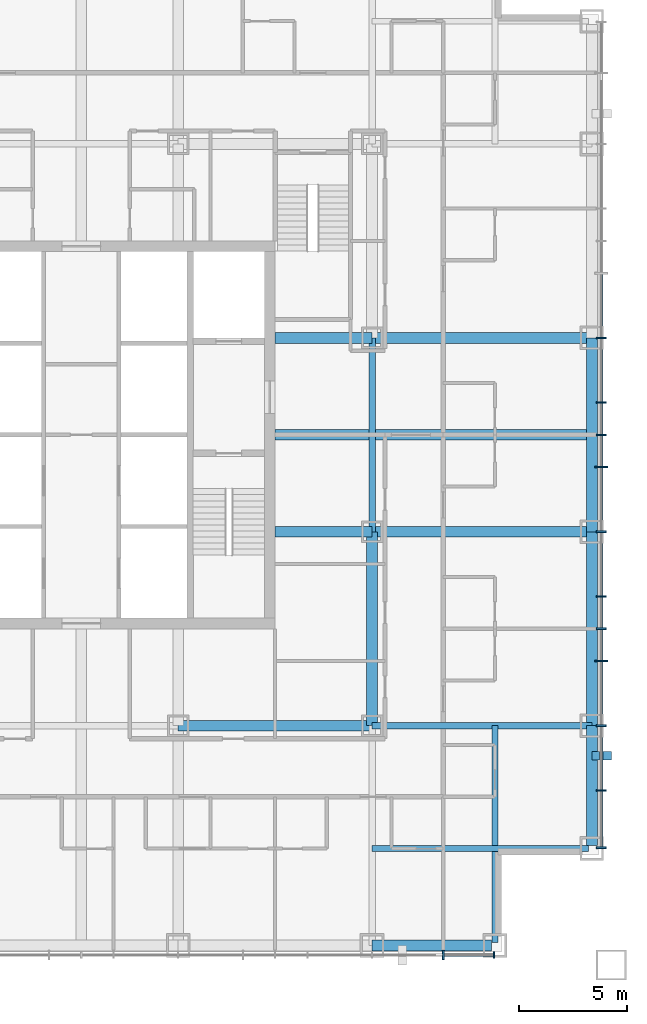
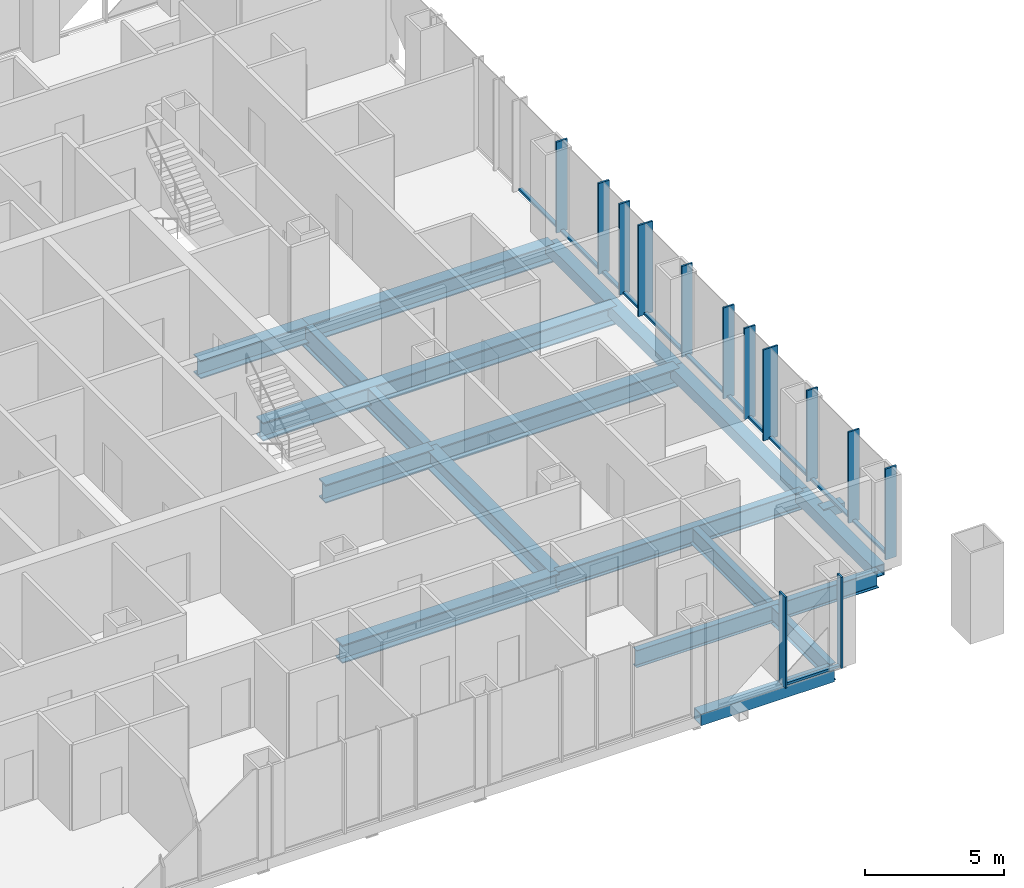
# One storey, part 4 of 18: 26 members, 15 beams, 2 elements without a shape of their own.
"""IFC4 building model written with IfcOpenShell, lengths in metres."""

import ifcopenshell
import ifcopenshell.guid

model = None  # the IFC model being written
_history = None  # IfcOwnerHistory: only IFC2X3 demands one
_inside = {}  # id of a spatial element -> (the spatial element, [elements in it])
_under = {}  # id of a project, library or spatial element -> (it, [spatial elements below it])
_declared = {}  # id of a project -> (the project, [libraries it declares])
_typed = {}  # id of a type object -> (the type object, [elements of that type])
_made_of = {}  # id of a material, layer set ... -> (it, [elements and type objects made of it])


def new_model(schema):
    """Start an empty IFC model of exactly this schema.

    Asked for "IFC4X3", IfcOpenShell would pick the latest addendum, in which some entities
    have other attributes; the version numbers below select the first issue.
    IFC2X3 requires an IfcOwnerHistory on every rooted entity: one is made here for all.
    """
    global model, _history
    if schema == "IFC4X3":
        model = ifcopenshell.file(schema_version=(4, 3, 0, 0))
    else:
        model = ifcopenshell.file(schema=schema)
    _inside.clear()
    _under.clear()
    _declared.clear()
    _typed.clear()
    _made_of.clear()
    _history = None
    if model.schema == "IFC2X3":
        org = make("IfcOrganization", Name="unknown")
        user = make(
            "IfcPersonAndOrganization",
            ThePerson=make("IfcPerson", FamilyName="unknown"),
            TheOrganization=org,
        )
        app = make(
            "IfcApplication",
            ApplicationDeveloper=org,
            Version="unknown",
            ApplicationFullName="unknown",
            ApplicationIdentifier="unknown",
        )
        _history = make(
            "IfcOwnerHistory",
            OwningUser=user,
            OwningApplication=app,
            ChangeAction="ADDED",
            CreationDate=0,
        )
    return model


def make(cls, **values):
    """One entity of the class cls with the attributes given. An attribute that is None is left unset."""
    return model.create_entity(
        cls, **{name: value for name, value in values.items() if value is not None}
    )


def rooted(cls, **values):
    """An entity with a GlobalId (a new one), such as an element, a storey or a relation."""
    return make(cls, GlobalId=ifcopenshell.guid.new(), OwnerHistory=_history, **values)


def si_unit(unit_type, name, prefix=None):
    """IfcSIUnit, for example si_unit("LENGTHUNIT", "METRE", prefix="MILLI")."""
    return make("IfcSIUnit", UnitType=unit_type, Prefix=prefix, Name=name)


def assignment(units):
    """IfcUnitAssignment: the units of a project."""
    return None if units is None else make("IfcUnitAssignment", Units=units)


def point(xyz):
    """IfcCartesianPoint."""
    return None if xyz is None else make("IfcCartesianPoint", Coordinates=xyz)


def direction(xyz):
    """IfcDirection."""
    return None if xyz is None else make("IfcDirection", DirectionRatios=xyz)


def frame(location, z_axis=None, x_axis=None):
    """IfcAxis2Placement3D, a coordinate frame: its origin and axes. An axis left out is left unset."""
    return make(
        "IfcAxis2Placement3D",
        Location=point(location),
        Axis=direction(z_axis),
        RefDirection=direction(x_axis),
    )


def frame_2d(location, x_axis=None):
    """IfcAxis2Placement2D, a coordinate frame in the plane: its origin and x axis."""
    return make(
        "IfcAxis2Placement2D", Location=point(location), RefDirection=direction(x_axis)
    )


def origin():
    """The frame at (0, 0, 0) with its axes left unset."""
    return frame((0.0, 0.0, 0.0))


def origin_2d():
    """The frame at (0, 0) in the plane with its x axis left unset."""
    return frame_2d((0.0, 0.0))


def place(relative_to, where):
    """IfcLocalPlacement: puts the frame where relative to a parent placement (None: the world)."""
    return make(
        "IfcLocalPlacement", PlacementRelTo=relative_to, RelativePlacement=where
    )


def context(
    kind, dimensions, precision=None, world=None, true_north=None, identifier=None
):
    """IfcGeometricRepresentationContext, for example the 3D "Model" context."""
    return make(
        "IfcGeometricRepresentationContext",
        ContextIdentifier=identifier,
        ContextType=kind,
        CoordinateSpaceDimension=dimensions,
        Precision=precision,
        WorldCoordinateSystem=world,
        TrueNorth=true_north,
    )


def subcontext(parent, identifier, kind, view, scale=None):
    """IfcGeometricRepresentationSubContext, for example "Body" below "Model"."""
    return make(
        "IfcGeometricRepresentationSubContext",
        ContextIdentifier=identifier,
        ContextType=kind,
        ParentContext=parent,
        TargetScale=scale,
        TargetView=view,
    )


def project(units=None, contexts=None):
    """IfcProject with its units and contexts."""
    return rooted(
        "IfcProject",
        Name="project",
        RepresentationContexts=contexts,
        UnitsInContext=assignment(units),
    )


def spatial(cls, under=None, at=None, **own):
    """A site, building, storey or space (cls), placed at a placement, below another one or the project."""
    s = rooted(cls, ObjectPlacement=at, **own)
    if under is not None:
        _under.setdefault(under.id(), (under, []))[1].append(s)
    return s


def profile(cls, at=None, kind="AREA", **sizes):
    """A parametric profile (cls). Its sizes go by their IFC names, for example OverallWidth=200.0."""
    return make(cls, ProfileType=kind, Position=at, **sizes)


def rectangle(**sizes):
    """IfcRectangleProfileDef."""
    return profile("IfcRectangleProfileDef", **sizes)


def hollow_rectangle(**sizes):
    """IfcRectangleHollowProfileDef."""
    return profile("IfcRectangleHollowProfileDef", **sizes)


def i_section(**sizes):
    """IfcIShapeProfileDef."""
    return profile("IfcIShapeProfileDef", **sizes)


def extrude(swept, where, along, depth):
    """IfcExtrudedAreaSolid: the profile swept, set in the frame where, extruded along a direction by depth."""
    return make(
        "IfcExtrudedAreaSolid",
        SweptArea=swept,
        Position=where,
        ExtrudedDirection=direction(along),
        Depth=depth,
    )


def shape(context_of_items, identifier, shape_type, items):
    """IfcShapeRepresentation: the items that make up one representation, for example the "Body"."""
    return make(
        "IfcShapeRepresentation",
        ContextOfItems=context_of_items,
        RepresentationIdentifier=identifier,
        RepresentationType=shape_type,
        Items=items,
    )


def material(Name=None, Category=None):
    """IfcMaterial."""
    return make("IfcMaterial", Name=Name, Category=Category)


def layer(
    of_material, thickness, ventilated=None, Name=None, Category=None, Priority=None
):
    """IfcMaterialLayer: one layer of a wall or slab, of a material (None: an air gap)."""
    return make(
        "IfcMaterialLayer",
        Material=of_material,
        LayerThickness=thickness,
        IsVentilated=ventilated,
        Name=Name,
        Category=Category,
        Priority=Priority,
    )


def layer_set(layers, Name=None):
    """IfcMaterialLayerSet."""
    return make("IfcMaterialLayerSet", MaterialLayers=layers, LayerSetName=Name)


def material_profile(
    of_material, cross_section, Name=None, Category=None, Priority=None
):
    """IfcMaterialProfile: a cross section and its material."""
    return make(
        "IfcMaterialProfile",
        Name=Name,
        Material=of_material,
        Profile=cross_section,
        Priority=Priority,
        Category=Category,
    )


def profile_set(profiles, Name=None, composite=None):
    """IfcMaterialProfileSet."""
    return make(
        "IfcMaterialProfileSet",
        Name=Name,
        MaterialProfiles=profiles,
        CompositeProfile=composite,
    )


def made_of(thing, what):
    """Note that an element or type object is made of a material, layer set ...; save() writes the relation."""
    if what is not None:
        _made_of.setdefault(what.id(), (what, []))[1].append(thing)
    return thing


def type_object(cls, material=None, **own):
    """A type object (cls), such as IfcWallType, which elements share."""
    return made_of(rooted(cls, **own), material)


def element(
    cls,
    number,
    at=None,
    inside=None,
    cuts=None,
    type_object=None,
    material=None,
    context=None,
    identifier="Body",
    shape_type=None,
    held_by="IfcProductDefinitionShape",
    body=None,
    shapes=None,
    **own,
):
    """One element of the class cls, such as IfcWall. Its Tag is "e" and its number.

    at: its placement. inside: the storey or other place that contains it. cuts: it is an
    opening in that element (IfcRelVoidsElement). A single representation is given by context,
    identifier, shape_type and body (its items); several are given by shapes. held_by: the class
    of the entity that holds the representations. save() writes the other relations.
    """
    e = rooted(cls, Tag="e%d" % number, ObjectPlacement=at, **own)
    if body is not None:
        shapes = [shape(context, identifier, shape_type, body)]
    if shapes is not None:
        e.Representation = make(held_by, Representations=shapes)
    if inside is not None:
        _inside.setdefault(inside.id(), (inside, []))[1].append(e)
    if cuts is not None:
        rooted(
            "IfcRelVoidsElement", RelatingBuildingElement=cuts, RelatedOpeningElement=e
        )
    if type_object is not None:
        _typed.setdefault(type_object.id(), (type_object, []))[1].append(e)
    return made_of(e, material)


def aggregate(whole, parts):
    """IfcRelAggregates: a whole, such as a stair, and the parts it consists of."""
    return rooted("IfcRelAggregates", RelatingObject=whole, RelatedObjects=parts)


def save(model, path):
    """Write the relations noted so far, then the file.

    IfcRelAggregates (storeys below a building ...), IfcRelContainedInSpatialStructure (elements
    in a storey), IfcRelDefinesByType, IfcRelAssociatesMaterial and IfcRelDeclares: one each for
    every whole, place, type object, material and project.
    """
    for whole, parts in _under.values():
        aggregate(whole, parts)
    for where, things in _inside.values():
        rooted(
            "IfcRelContainedInSpatialStructure",
            RelatedElements=things,
            RelatingStructure=where,
        )
    for kind, things in _typed.values():
        rooted("IfcRelDefinesByType", RelatedObjects=things, RelatingType=kind)
    for what, things in _made_of.values():
        rooted("IfcRelAssociatesMaterial", RelatedObjects=things, RelatingMaterial=what)
    for by, libraries in _declared.values():
        rooted("IfcRelDeclares", RelatingContext=by, RelatedDefinitions=libraries)
    model.write(path)


model = new_model("IFC4")

# Units and contexts
model_context = context("Model", 3, precision=1e-05, world=origin(), true_north=direction((0.0, 1.0)))
body_context = subcontext(model_context, "Body", "Model", "MODEL_VIEW")
ifc_project = project(units=[si_unit("LENGTHUNIT", "METRE"), si_unit("AREAUNIT", "SQUARE_METRE"), si_unit("VOLUMEUNIT", "CUBIC_METRE"), si_unit("PLANEANGLEUNIT", "RADIAN"), si_unit("MASSUNIT", "GRAM", prefix="KILO")], contexts=[model_context])

# Site, building, storey
site_placement = place(None, origin())
site = spatial("IfcSite", under=ifc_project, at=site_placement, CompositionType="ELEMENT")
building_placement = place(site_placement, origin())
building = spatial("IfcBuilding", under=site, at=building_placement, Name="Malebo Sky Hospital", CompositionType="ELEMENT")
storey_placement = place(building_placement, frame((0.0, 0.0, 132.0)))
storey = spatial("IfcBuildingStorey", under=building, at=storey_placement, Name="L31", CompositionType="ELEMENT", Elevation=132.0)

# Curtain wall, member
ifc_material_1 = material(Name="Anodised aluminium, natural silver", Category="aluminium")
ifc_layer_1 = layer(ifc_material_1, 0.25)
ifc_layer_set_1 = layer_set([ifc_layer_1], Name="WARD CURTAIN WALL NORTH AND SOUTH")
curtain_wall_type_1 = type_object("IfcCurtainWallType", Name="WARD CURTAIN WALL NORTH AND SOUTH", PredefinedType="NOTDEFINED", material=ifc_layer_set_1)
curtain_wall_1_placement = place(storey_placement, origin())
curtain_wall_1 = element("IfcCurtainWall", 1, at=curtain_wall_1_placement, inside=storey, type_object=curtain_wall_type_1, Name="NS curtain wall S", PredefinedType="NOTDEFINED")
ifc_material_profile_1 = material_profile(ifc_material_1, rectangle(XDim=0.14990234375, YDim=0.10009765625, at=origin_2d()), Name="ALUMINIUM TRANSOM 150x100")
ifc_profile_set_1 = profile_set([ifc_material_profile_1], Name="Anodised aluminium, natural silver")
member_type_1 = type_object("IfcMemberType", Name="ALUMINIUM TRANSOM 150x100", PredefinedType="USERDEFINED", material=ifc_profile_set_1)
member_1_placement = place(storey_placement, frame((79.125, 37.864990234375, 0.050048828125), z_axis=(-1.0, 0.0, 0.0), x_axis=(0.0, -1.0, 0.0)))
member_1 = element("IfcMember", 2, at=member_1_placement, type_object=member_type_1, Name="Transom 1", ObjectType="TRANSOM", PredefinedType="USERDEFINED", context=body_context, shape_type="SweptSolid", body=[
    extrude(rectangle(XDim=0.14990234375, YDim=0.10009765625, at=origin_2d()), origin(), (0.0, 0.0, 1.0), 2.28759765625),
])

# Curtain wall, members
ifc_layer_2 = layer(ifc_material_1, 0.25)
ifc_layer_set_2 = layer_set([ifc_layer_2], Name="WARD CURTAIN WALL EAST AND WEST")
curtain_wall_type_2 = type_object("IfcCurtainWallType", Name="WARD CURTAIN WALL EAST AND WEST", PredefinedType="NOTDEFINED", material=ifc_layer_set_2)
curtain_wall_2_placement = place(storey_placement, origin())
curtain_wall_2 = element("IfcCurtainWall", 3, at=curtain_wall_2_placement, inside=storey, type_object=curtain_wall_type_2, Name="EW curtain wall E", PredefinedType="NOTDEFINED")
member_2_placement = place(storey_placement, frame((84.135009765625, 69.46240234375, 0.050048828125), z_axis=(0.0, -1.0, 0.0), x_axis=(1.0, 0.0, 0.0)))
member_2 = element("IfcMember", 4, at=member_2_placement, type_object=member_type_1, Name="Transom 6", ObjectType="TRANSOM", PredefinedType="USERDEFINED", context=body_context, shape_type="SweptSolid", body=[
    extrude(rectangle(XDim=0.14990234375, YDim=0.10009765625, at=origin_2d()), origin(), (0.0, 0.0, 1.0), 2.9248046875),
])
member_3_placement = place(storey_placement, frame((84.135009765625, 66.46240234375, 0.050048828125), z_axis=(0.0, -1.0, 0.0), x_axis=(1.0, 0.0, 0.0)))
member_3 = element("IfcMember", 5, at=member_3_placement, type_object=member_type_1, Name="Transom 7", ObjectType="TRANSOM", PredefinedType="USERDEFINED", context=body_context, shape_type="SweptSolid", body=[
    extrude(rectangle(XDim=0.14990234375, YDim=0.10009765625, at=origin_2d()), origin(), (0.0, 0.0, 1.0), 2.9248046875),
])
member_4_placement = place(storey_placement, frame((84.135009765625, 63.46240234375, 0.050048828125), z_axis=(0.0, -1.0, 0.0), x_axis=(1.0, 0.0, 0.0)))
member_4 = element("IfcMember", 6, at=member_4_placement, type_object=member_type_1, Name="Transom 8", ObjectType="TRANSOM", PredefinedType="USERDEFINED", context=body_context, shape_type="SweptSolid", body=[
    extrude(rectangle(XDim=0.14990234375, YDim=0.10009765625, at=origin_2d()), origin(), (0.0, 0.0, 1.0), 1.4248046875),
])
member_5_placement = place(storey_placement, frame((84.135009765625, 61.96240234375, 0.050048828125), z_axis=(0.0, -1.0, 0.0), x_axis=(1.0, 0.0, 0.0)))
member_5 = element("IfcMember", 7, at=member_5_placement, type_object=member_type_1, Name="Transom 9", ObjectType="TRANSOM", PredefinedType="USERDEFINED", context=body_context, shape_type="SweptSolid", body=[
    extrude(rectangle(XDim=0.14990234375, YDim=0.10009765625, at=origin_2d()), origin(), (0.0, 0.0, 1.0), 1.4248046875),
])
member_6_placement = place(storey_placement, frame((84.135009765625, 60.46240234375, 0.050048828125), z_axis=(0.0, -1.0, 0.0), x_axis=(1.0, 0.0, 0.0)))
member_6 = element("IfcMember", 8, at=member_6_placement, type_object=member_type_1, Name="Transom 10", ObjectType="TRANSOM", PredefinedType="USERDEFINED", context=body_context, shape_type="SweptSolid", body=[
    extrude(rectangle(XDim=0.14990234375, YDim=0.10009765625, at=origin_2d()), origin(), (0.0, 0.0, 1.0), 2.9248046875),
])
member_7_placement = place(storey_placement, frame((84.135009765625, 57.46240234375, 0.050048828125), z_axis=(0.0, -1.0, 0.0), x_axis=(1.0, 0.0, 0.0)))
member_7 = element("IfcMember", 9, at=member_7_placement, type_object=member_type_1, Name="Transom 11", ObjectType="TRANSOM", PredefinedType="USERDEFINED", context=body_context, shape_type="SweptSolid", body=[
    extrude(rectangle(XDim=0.14990234375, YDim=0.10009765625, at=origin_2d()), origin(), (0.0, 0.0, 1.0), 2.9248046875),
])
member_8_placement = place(storey_placement, frame((84.135009765625, 54.46240234375, 0.050048828125), z_axis=(0.0, -1.0, 0.0), x_axis=(1.0, 0.0, 0.0)))
member_8 = element("IfcMember", 10, at=member_8_placement, type_object=member_type_1, Name="Transom 12", ObjectType="TRANSOM", PredefinedType="USERDEFINED", context=body_context, shape_type="SweptSolid", body=[
    extrude(rectangle(XDim=0.14990234375, YDim=0.10009765625, at=origin_2d()), origin(), (0.0, 0.0, 1.0), 1.4248046875),
])
member_9_placement = place(storey_placement, frame((84.135009765625, 52.96240234375, 0.050048828125), z_axis=(0.0, -1.0, 0.0), x_axis=(1.0, 0.0, 0.0)))
member_9 = element("IfcMember", 11, at=member_9_placement, type_object=member_type_1, Name="Transom 13", ObjectType="TRANSOM", PredefinedType="USERDEFINED", context=body_context, shape_type="SweptSolid", body=[
    extrude(rectangle(XDim=0.14990234375, YDim=0.10009765625, at=origin_2d()), origin(), (0.0, 0.0, 1.0), 1.4248046875),
])
member_10_placement = place(storey_placement, frame((84.135009765625, 51.46240234375, 0.050048828125), z_axis=(0.0, -1.0, 0.0), x_axis=(1.0, 0.0, 0.0)))
member_10 = element("IfcMember", 12, at=member_10_placement, type_object=member_type_1, Name="Transom 14", ObjectType="TRANSOM", PredefinedType="USERDEFINED", context=body_context, shape_type="SweptSolid", body=[
    extrude(rectangle(XDim=0.14990234375, YDim=0.10009765625, at=origin_2d()), origin(), (0.0, 0.0, 1.0), 2.9248046875),
])
member_11_placement = place(storey_placement, frame((84.135009765625, 48.46240234375, 0.050048828125), z_axis=(0.0, -1.0, 0.0), x_axis=(1.0, 0.0, 0.0)))
member_11 = element("IfcMember", 13, at=member_11_placement, type_object=member_type_1, Name="Transom 15", ObjectType="TRANSOM", PredefinedType="USERDEFINED", context=body_context, shape_type="SweptSolid", body=[
    extrude(rectangle(XDim=0.14990234375, YDim=0.10009765625, at=origin_2d()), origin(), (0.0, 0.0, 1.0), 2.9248046875),
])
member_12_placement = place(storey_placement, frame((84.135009765625, 45.46240234375, 0.050048828125), z_axis=(0.0, -1.0, 0.0), x_axis=(1.0, 0.0, 0.0)))
member_12 = element("IfcMember", 14, at=member_12_placement, type_object=member_type_1, Name="Transom 16", ObjectType="TRANSOM", PredefinedType="USERDEFINED", context=body_context, shape_type="SweptSolid", body=[
    extrude(rectangle(XDim=0.14990234375, YDim=0.10009765625, at=origin_2d()), origin(), (0.0, 0.0, 1.0), 2.58740234375),
])

# Member
ifc_material_2 = material(Name="Steel S355", Category="steel")
ifc_material_profile_2 = material_profile(ifc_material_2, hollow_rectangle(XDim=0.39990234375, YDim=0.39990234375, WallThickness=0.02001953125, at=origin_2d()), Name="SHS 400x20")
ifc_profile_set_2 = profile_set([ifc_material_profile_2], Name="Steel S355")
member_type_2 = type_object("IfcMemberType", Name="BRACE STRUT SHS 400x20", PredefinedType="STRUT", material=ifc_profile_set_2)
member_13_placement = place(storey_placement, frame((84.60009765625, 47.1064453125, -0.39990234375), z_axis=(-1.0, 0.0, 0.0), x_axis=(0.0, -1.0, 0.0)))
element("IfcMember", 15, at=member_13_placement, inside=storey, type_object=member_type_2, Name="Brace strut BE2 L31", PredefinedType="STRUT", context=body_context, shape_type="SweptSolid", body=[
    extrude(hollow_rectangle(XDim=0.39990234375, YDim=0.39990234375, WallThickness=0.02001953125, at=origin_2d()), origin(), (0.0, 0.0, 1.0), 0.900146484375),
])

ifc_material_profile_3 = material_profile(ifc_material_1, rectangle(XDim=0.074951171875, YDim=0.300048828125, at=origin_2d()), Name="CW1 ALUMINIUM FIN MULLION 75x300")
ifc_profile_set_3 = profile_set([ifc_material_profile_3], Name="Anodised aluminium, natural silver")
member_type_3 = type_object("IfcMemberType", Name="CW1 ALUMINIUM FIN MULLION 75x300", PredefinedType="MULLION", material=ifc_profile_set_3)
member_14_placement = place(storey_placement, frame((79.16259765625, 37.864990234375, 0.0), z_axis=(0.0, 0.0, 1.0), x_axis=(-1.0, 0.0, 0.0)))
member_14 = element("IfcMember", 16, at=member_14_placement, type_object=member_type_3, Name="Fin mullion 1", PredefinedType="MULLION", context=body_context, shape_type="SweptSolid", body=[
    extrude(rectangle(XDim=0.074951171875, YDim=0.300048828125, at=origin_2d()), origin(), (0.0, 0.0, 1.0), 4.0),
])

ifc_material_profile_4 = material_profile(ifc_material_1, rectangle(XDim=0.074951171875, YDim=0.449951171875, at=origin_2d()), Name="CW1 ALUMINIUM FIN MULLION 75x450")
ifc_profile_set_4 = profile_set([ifc_material_profile_4], Name="Anodised aluminium, natural silver")
member_type_4 = type_object("IfcMemberType", Name="CW1 ALUMINIUM FIN MULLION 75x450", PredefinedType="MULLION", material=ifc_profile_set_4)
member_15_placement = place(storey_placement, frame((76.800048828125, 37.864990234375, 0.0), z_axis=(0.0, 0.0, 1.0), x_axis=(-1.0, 0.0, 0.0)))
member_15 = element("IfcMember", 17, at=member_15_placement, type_object=member_type_4, Name="Fin mullion 2", PredefinedType="MULLION", context=body_context, shape_type="SweptSolid", body=[
    extrude(rectangle(XDim=0.074951171875, YDim=0.449951171875, at=origin_2d()), origin(), (0.0, 0.0, 1.0), 4.0),
])

aggregate(curtain_wall_1, [member_14, member_15, member_1])

ifc_material_profile_5 = material_profile(ifc_material_1, rectangle(XDim=0.074951171875, YDim=0.449951171875, at=origin_2d()), Name="CW2 ALUMINIUM FIN MULLION 75x450")
ifc_profile_set_5 = profile_set([ifc_material_profile_5], Name="Anodised aluminium, natural silver")
member_type_5 = type_object("IfcMemberType", Name="CW2 ALUMINIUM FIN MULLION 75x450", PredefinedType="MULLION", material=ifc_profile_set_5)
member_16_placement = place(storey_placement, frame((84.135009765625, 66.5, 0.0), z_axis=(0.0, 0.0, 1.0), x_axis=(0.0, -1.0, 0.0)))
member_16 = element("IfcMember", 18, at=member_16_placement, type_object=member_type_5, Name="Fin mullion 7", PredefinedType="MULLION", context=body_context, shape_type="SweptSolid", body=[
    extrude(rectangle(XDim=0.074951171875, YDim=0.449951171875, at=origin_2d()), origin(), (0.0, 0.0, 1.0), 4.0),
])

member_17_placement = place(storey_placement, frame((84.135009765625, 63.5, 0.0), z_axis=(0.0, 0.0, 1.0), x_axis=(0.0, -1.0, 0.0)))
member_17 = element("IfcMember", 19, at=member_17_placement, type_object=member_type_5, Name="Fin mullion 8", PredefinedType="MULLION", context=body_context, shape_type="SweptSolid", body=[
    extrude(rectangle(XDim=0.074951171875, YDim=0.449951171875, at=origin_2d()), origin(), (0.0, 0.0, 1.0), 4.0),
])

member_18_placement = place(storey_placement, frame((84.135009765625, 62.0, 0.0), z_axis=(0.0, 0.0, 1.0), x_axis=(0.0, -1.0, 0.0)))
member_18 = element("IfcMember", 20, at=member_18_placement, type_object=member_type_5, Name="Fin mullion 9", PredefinedType="MULLION", context=body_context, shape_type="SweptSolid", body=[
    extrude(rectangle(XDim=0.074951171875, YDim=0.449951171875, at=origin_2d()), origin(), (0.0, 0.0, 1.0), 4.0),
])

member_19_placement = place(storey_placement, frame((84.135009765625, 57.5, 0.0), z_axis=(0.0, 0.0, 1.0), x_axis=(0.0, -1.0, 0.0)))
member_19 = element("IfcMember", 21, at=member_19_placement, type_object=member_type_5, Name="Fin mullion 11", PredefinedType="MULLION", context=body_context, shape_type="SweptSolid", body=[
    extrude(rectangle(XDim=0.074951171875, YDim=0.449951171875, at=origin_2d()), origin(), (0.0, 0.0, 1.0), 4.0),
])

member_20_placement = place(storey_placement, frame((84.135009765625, 54.5, 0.0), z_axis=(0.0, 0.0, 1.0), x_axis=(0.0, -1.0, 0.0)))
member_20 = element("IfcMember", 22, at=member_20_placement, type_object=member_type_5, Name="Fin mullion 12", PredefinedType="MULLION", context=body_context, shape_type="SweptSolid", body=[
    extrude(rectangle(XDim=0.074951171875, YDim=0.449951171875, at=origin_2d()), origin(), (0.0, 0.0, 1.0), 4.0),
])

member_21_placement = place(storey_placement, frame((84.135009765625, 53.0, 0.0), z_axis=(0.0, 0.0, 1.0), x_axis=(0.0, -1.0, 0.0)))
member_21 = element("IfcMember", 23, at=member_21_placement, type_object=member_type_5, Name="Fin mullion 13", PredefinedType="MULLION", context=body_context, shape_type="SweptSolid", body=[
    extrude(rectangle(XDim=0.074951171875, YDim=0.449951171875, at=origin_2d()), origin(), (0.0, 0.0, 1.0), 4.0),
])

member_22_placement = place(storey_placement, frame((84.135009765625, 48.5, 0.0), z_axis=(0.0, 0.0, 1.0), x_axis=(0.0, -1.0, 0.0)))
member_22 = element("IfcMember", 24, at=member_22_placement, type_object=member_type_5, Name="Fin mullion 15", PredefinedType="MULLION", context=body_context, shape_type="SweptSolid", body=[
    extrude(rectangle(XDim=0.074951171875, YDim=0.449951171875, at=origin_2d()), origin(), (0.0, 0.0, 1.0), 4.0),
])

member_23_placement = place(storey_placement, frame((84.135009765625, 45.5, 0.0), z_axis=(0.0, 0.0, 1.0), x_axis=(0.0, -1.0, 0.0)))
member_23 = element("IfcMember", 25, at=member_23_placement, type_object=member_type_5, Name="Fin mullion 16", PredefinedType="MULLION", context=body_context, shape_type="SweptSolid", body=[
    extrude(rectangle(XDim=0.074951171875, YDim=0.449951171875, at=origin_2d()), origin(), (0.0, 0.0, 1.0), 4.0),
])

member_24_placement = place(storey_placement, frame((84.135009765625, 42.83740234375, 0.0), z_axis=(0.0, 0.0, 1.0), x_axis=(0.0, -1.0, 0.0)))
member_24 = element("IfcMember", 26, at=member_24_placement, type_object=member_type_5, Name="Fin mullion 17", PredefinedType="MULLION", context=body_context, shape_type="SweptSolid", body=[
    extrude(rectangle(XDim=0.074951171875, YDim=0.449951171875, at=origin_2d()), origin(), (0.0, 0.0, 1.0), 4.0),
])

ifc_material_profile_6 = material_profile(ifc_material_1, rectangle(XDim=0.074951171875, YDim=0.60009765625, at=origin_2d()), Name="CW2 ALUMINIUM FIN MULLION 75x600")
ifc_profile_set_6 = profile_set([ifc_material_profile_6], Name="Anodised aluminium, natural silver")
member_type_6 = type_object("IfcMemberType", Name="CW2 ALUMINIUM FIN MULLION 75x600", PredefinedType="MULLION", material=ifc_profile_set_6)
member_25_placement = place(storey_placement, frame((84.135009765625, 60.5, 0.0), z_axis=(0.0, 0.0, 1.0), x_axis=(0.0, -1.0, 0.0)))
member_25 = element("IfcMember", 27, at=member_25_placement, type_object=member_type_6, Name="Fin mullion 10", PredefinedType="MULLION", context=body_context, shape_type="SweptSolid", body=[
    extrude(rectangle(XDim=0.074951171875, YDim=0.60009765625, at=origin_2d()), origin(), (0.0, 0.0, 1.0), 4.0),
])

member_26_placement = place(storey_placement, frame((84.135009765625, 51.5, 0.0), z_axis=(0.0, 0.0, 1.0), x_axis=(0.0, -1.0, 0.0)))
member_26 = element("IfcMember", 28, at=member_26_placement, type_object=member_type_6, Name="Fin mullion 14", PredefinedType="MULLION", context=body_context, shape_type="SweptSolid", body=[
    extrude(rectangle(XDim=0.074951171875, YDim=0.60009765625, at=origin_2d()), origin(), (0.0, 0.0, 1.0), 4.0),
])

aggregate(curtain_wall_2, [member_16, member_17, member_18, member_25, member_19, member_20, member_21, member_26, member_22, member_23, member_24, member_2, member_3, member_4, member_5, member_6, member_7, member_8, member_9, member_10, member_11, member_12])

# Beams
ifc_material_3 = material(Name="Steel S460", Category="steel")
ifc_material_profile_7 = material_profile(ifc_material_3, hollow_rectangle(XDim=0.5, YDim=0.5, WallThickness=0.030029296875, at=origin_2d()), Name="BOX 500x500x30")
ifc_profile_set_7 = profile_set([ifc_material_profile_7], Name="Steel S460")
beam_type_1 = type_object("IfcBeamType", Name="EDGE BEAM BOX 500x500x30", PredefinedType="BEAM", material=ifc_profile_set_7)
beam_1_placement = place(storey_placement, frame((83.699951171875, 42.949951171875, -0.5), z_axis=(0.0, 1.0, 0.0), x_axis=(-1.0, 0.0, 0.0)))
element("IfcBeam", 29, at=beam_1_placement, inside=storey, type_object=beam_type_1, Name="Beam 029 L31", PredefinedType="BEAM", context=body_context, shape_type="SweptSolid", body=[
    extrude(hollow_rectangle(XDim=0.5, YDim=0.5, WallThickness=0.030029296875, at=origin_2d()), origin(), (0.0, 0.0, 1.0), 5.550048828125),
])
for number, where, z_axis, x_axis, name in (
    (30, (83.699951171875, 48.5, -0.5), (0.0, 1.0, 0.0), (-1.0, 0.0, 0.0), "Beam 030 L31"),
    (31, (83.699951171875, 57.5, -0.5), (0.0, 1.0, 0.0), (-1.0, 0.0, 0.0), "Beam 031 L31"),
):
    element("IfcBeam", number, at=place(storey_placement, frame(where, z_axis=z_axis, x_axis=x_axis)), inside=storey, type_object=beam_type_1, Name=name, PredefinedType="BEAM", context=body_context, shape_type="SweptSolid", body=[
        extrude(hollow_rectangle(XDim=0.5, YDim=0.5, WallThickness=0.030029296875, at=origin_2d()), origin(), (0.0, 0.0, 1.0), 9.0),
    ])
beam_2_placement = place(storey_placement, frame((73.5, 38.300048828125, -0.5), z_axis=(1.0, 0.0, 0.0), x_axis=(0.0, 1.0, 0.0)))
element("IfcBeam", 32, at=beam_2_placement, inside=storey, type_object=beam_type_1, Name="Beam 038 L31", PredefinedType="BEAM", context=body_context, shape_type="SweptSolid", body=[
    extrude(hollow_rectangle(XDim=0.5, YDim=0.5, WallThickness=0.030029296875, at=origin_2d()), origin(), (0.0, 0.0, 1.0), 5.550048828125),
])
ifc_material_profile_8 = material_profile(ifc_material_2, i_section(OverallWidth=0.262939453125, OverallDepth=0.7529296875, WebThickness=0.011474609375, FlangeThickness=0.01708984375, FilletRadius=0.01708984375, at=origin_2d()), Name="IPE 750x137")
ifc_profile_set_8 = profile_set([ifc_material_profile_8], Name="Steel S355")
beam_type_2 = type_object("IfcBeamType", Name="FLOOR BEAM IPE 750x137", PredefinedType="BEAM", material=ifc_profile_set_8)
for number, where, z_axis, x_axis, name in (
    (33, (79.199951171875, 38.449951171875, -0.62646484375), (0.0, 1.0, 0.0), (-1.0, 0.0, 0.0), "Beam 027 L31"),
    (34, (73.5, 42.800048828125, -0.62646484375), (1.0, 0.0, 0.0), (0.0, 1.0, 0.0), "Beam 040 L31"),
):
    element("IfcBeam", number, at=place(storey_placement, frame(where, z_axis=z_axis, x_axis=x_axis)), inside=storey, type_object=beam_type_2, Name=name, PredefinedType="BEAM", context=body_context, shape_type="SweptSolid", body=[
        extrude(i_section(OverallWidth=0.262939453125, OverallDepth=0.7529296875, WebThickness=0.011474609375, FlangeThickness=0.01708984375, FilletRadius=0.01708984375, at=origin_2d()), origin(), (0.0, 0.0, 1.0), 10.050048828125),
    ])
ifc_material_profile_9 = material_profile(ifc_material_2, i_section(OverallWidth=0.5, OverallDepth=0.800048828125, WebThickness=0.030029296875, FlangeThickness=0.050048828125, at=origin_2d()), Name="PG 800x500x30x50")
ifc_profile_set_9 = profile_set([ifc_material_profile_9], Name="Steel S355")
beam_type_3 = type_object("IfcBeamType", Name="FLOOR BEAM PG 800x500x30x50", PredefinedType="BEAM", material=ifc_profile_set_9)
for number, where, z_axis, x_axis, name in (
    (35, (73.5, 48.5, -0.64990234375), (0.0, 1.0, 0.0), (-1.0, 0.0, 0.0), "Beam 023 L31"),
    (36, (64.5, 48.5, -0.64990234375), (1.0, 0.0, 0.0), (0.0, 1.0, 0.0), "Beam 044 L31"),
):
    element("IfcBeam", number, at=place(storey_placement, frame(where, z_axis=z_axis, x_axis=x_axis)), inside=storey, type_object=beam_type_3, Name=name, PredefinedType="BEAM", context=body_context, shape_type="SweptSolid", body=[
        extrude(i_section(OverallWidth=0.5, OverallDepth=0.800048828125, WebThickness=0.030029296875, FlangeThickness=0.050048828125, at=origin_2d()), origin(), (0.0, 0.0, 1.0), 9.0),
    ])
beam_3_placement = place(storey_placement, frame((69.0, 57.5, -0.64990234375), z_axis=(1.0, 0.0, 0.0), x_axis=(0.0, 1.0, 0.0)))
element("IfcBeam", 37, at=beam_3_placement, inside=storey, type_object=beam_type_3, Name="Beam 048 L31", PredefinedType="BEAM", context=body_context, shape_type="SweptSolid", body=[
    extrude(i_section(OverallWidth=0.5, OverallDepth=0.800048828125, WebThickness=0.030029296875, FlangeThickness=0.050048828125, at=origin_2d()), origin(), (0.0, 0.0, 1.0), 4.5),
])
beam_4_placement = place(storey_placement, frame((73.5, 57.5, -0.64990234375), z_axis=(1.0, 0.0, 0.0), x_axis=(0.0, 1.0, 0.0)))
element("IfcBeam", 38, at=beam_4_placement, inside=storey, type_object=beam_type_3, Name="Beam 049 L31", PredefinedType="BEAM", context=body_context, shape_type="SweptSolid", body=[
    extrude(i_section(OverallWidth=0.5, OverallDepth=0.800048828125, WebThickness=0.030029296875, FlangeThickness=0.050048828125, at=origin_2d()), origin(), (0.0, 0.0, 1.0), 10.199951171875),
])
beam_5_placement = place(storey_placement, frame((69.0, 62.0, -0.64990234375), z_axis=(1.0, 0.0, 0.0), x_axis=(0.0, 1.0, 0.0)))
element("IfcBeam", 39, at=beam_5_placement, inside=storey, type_object=beam_type_3, Name="Beam 051 L31", PredefinedType="BEAM", context=body_context, shape_type="SweptSolid", body=[
    extrude(i_section(OverallWidth=0.5, OverallDepth=0.800048828125, WebThickness=0.030029296875, FlangeThickness=0.050048828125, at=origin_2d()), origin(), (0.0, 0.0, 1.0), 14.699951171875),
])
beam_6_placement = place(storey_placement, frame((69.0, 66.5, -0.64990234375), z_axis=(1.0, 0.0, 0.0), x_axis=(0.0, 1.0, 0.0)))
element("IfcBeam", 40, at=beam_6_placement, inside=storey, type_object=beam_type_3, Name="Beam 054 L31", PredefinedType="BEAM", context=body_context, shape_type="SweptSolid", body=[
    extrude(i_section(OverallWidth=0.5, OverallDepth=0.800048828125, WebThickness=0.030029296875, FlangeThickness=0.050048828125, at=origin_2d()), origin(), (0.0, 0.0, 1.0), 4.5),
])
beam_7_placement = place(storey_placement, frame((73.5, 66.5, -0.64990234375), z_axis=(1.0, 0.0, 0.0), x_axis=(0.0, 1.0, 0.0)))
element("IfcBeam", 41, at=beam_7_placement, inside=storey, type_object=beam_type_3, Name="Beam 055 L31", PredefinedType="BEAM", context=body_context, shape_type="SweptSolid", body=[
    extrude(i_section(OverallWidth=0.5, OverallDepth=0.800048828125, WebThickness=0.030029296875, FlangeThickness=0.050048828125, at=origin_2d()), origin(), (0.0, 0.0, 1.0), 10.199951171875),
])
ifc_material_profile_10 = material_profile(ifc_material_2, i_section(OverallWidth=0.300048828125, OverallDepth=0.800048828125, WebThickness=0.017578125, FlangeThickness=0.032958984375, FilletRadius=0.030029296875, at=origin_2d()), Name="HEB 800")
ifc_profile_set_10 = profile_set([ifc_material_profile_10], Name="Steel S355")
beam_type_4 = type_object("IfcBeamType", Name="FLOOR GIRDER HEB 800", PredefinedType="BEAM", material=ifc_profile_set_10)
beam_8_placement = place(storey_placement, frame((73.5, 48.5, -0.64990234375), z_axis=(1.0, 0.0, 0.0), x_axis=(0.0, 1.0, 0.0)))
element("IfcBeam", 42, at=beam_8_placement, inside=storey, type_object=beam_type_4, Name="Beam 045 L31", PredefinedType="BEAM", context=body_context, shape_type="SweptSolid", body=[
    extrude(i_section(OverallWidth=0.300048828125, OverallDepth=0.800048828125, WebThickness=0.017578125, FlangeThickness=0.032958984375, FilletRadius=0.030029296875, at=origin_2d()), origin(), (0.0, 0.0, 1.0), 10.199951171875),
])
ifc_material_profile_11 = material_profile(ifc_material_2, i_section(OverallWidth=0.300048828125, OverallDepth=1.0, WebThickness=0.01904296875, FlangeThickness=0.035888671875, FilletRadius=0.030029296875, at=origin_2d()), Name="HEB 1000")
ifc_profile_set_11 = profile_set([ifc_material_profile_11], Name="Steel S355")
beam_type_5 = type_object("IfcBeamType", Name="RING GIRDER HEB 1000", PredefinedType="BEAM", material=ifc_profile_set_11)
beam_9_placement = place(storey_placement, frame((73.5, 57.5, -0.75), z_axis=(0.0, 1.0, 0.0), x_axis=(-1.0, 0.0, 0.0)))
element("IfcBeam", 43, at=beam_9_placement, inside=storey, type_object=beam_type_5, Name="Beam 024 L31", PredefinedType="BEAM", context=body_context, shape_type="SweptSolid", body=[
    extrude(i_section(OverallWidth=0.300048828125, OverallDepth=1.0, WebThickness=0.01904296875, FlangeThickness=0.035888671875, FilletRadius=0.030029296875, at=origin_2d()), origin(), (0.0, 0.0, 1.0), 9.0),
])

save(model, "model.ifc")
